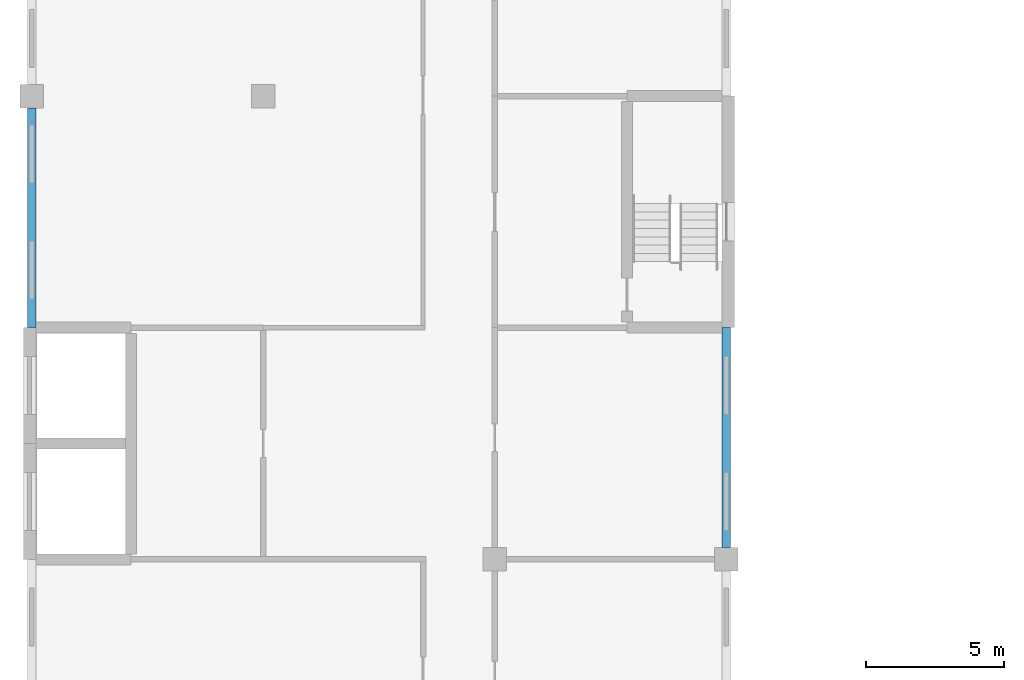
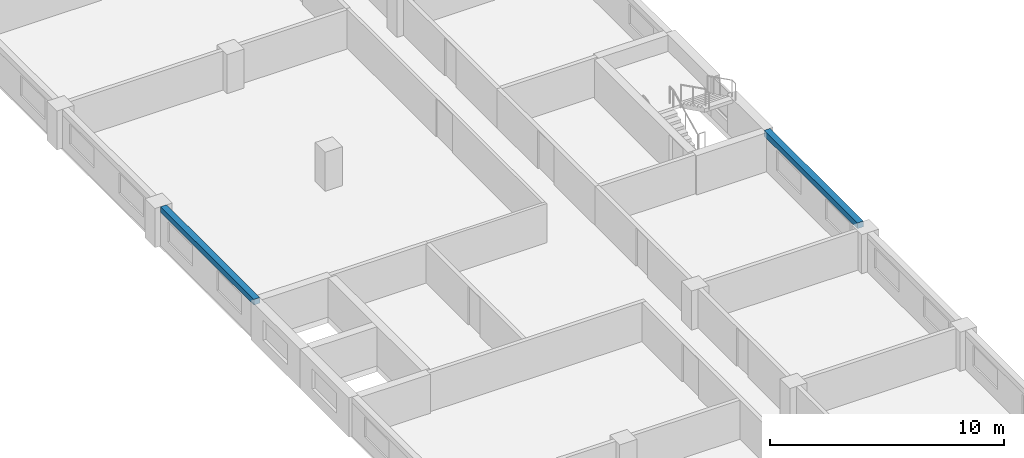
# One storey, part 13 of 48: 2 beams.
"""IFC4 building model written with IfcOpenShell, lengths in metres."""

from ifc_helpers import new_model, si_unit, direction, frame, origin, origin_2d, place, context, subcontext, project, spatial, rectangle, extrude, material, material_profile, profile_set, type_object, element, save


model = new_model("IFC4")

# Units and contexts
model_context = context("Model", 3, precision=1e-05, world=origin(), true_north=direction((0.0, 1.0)))
body_context = subcontext(model_context, "Body", "Model", "MODEL_VIEW")
ifc_project = project(units=[si_unit("LENGTHUNIT", "METRE"), si_unit("AREAUNIT", "SQUARE_METRE"), si_unit("VOLUMEUNIT", "CUBIC_METRE"), si_unit("PLANEANGLEUNIT", "RADIAN"), si_unit("MASSUNIT", "GRAM", prefix="KILO")], contexts=[model_context])

# Site, building, storey
site_placement = place(None, origin())
site = spatial("IfcSite", under=ifc_project, at=site_placement, CompositionType="ELEMENT")
building_placement = place(site_placement, origin())
building = spatial("IfcBuilding", under=site, at=building_placement, Name="Yavir Park General Hospital", CompositionType="ELEMENT")
storey_placement = place(building_placement, frame((0.0, 0.0, 12.89990234375)))
storey = spatial("IfcBuildingStorey", under=building, at=storey_placement, Name="I02", CompositionType="ELEMENT", Elevation=12.89990234375)

# Beams
ifc_material = material(Name="Concrete C35/45", Category="concrete")
ifc_material_profile = material_profile(ifc_material, rectangle(XDim=0.300048828125, YDim=0.300048828125, at=origin_2d()), Name="RC300x300")
ifc_profile_set = profile_set([ifc_material_profile], Name="Concrete C35/45")
beam_type = type_object("IfcBeamType", Name="RC BEAM 300x300 edge beam", PredefinedType="BEAM", material=ifc_profile_set)
beam_1_placement = place(storey_placement, frame((0.0, 75.60009765625, 1.89013671875), z_axis=(0.0, 1.0, 0.0), x_axis=(-1.0, 0.0, 0.0)))
element("IfcBeam", 1, at=beam_1_placement, inside=storey, type_object=beam_type, Name="B:EDGE:I02:038", PredefinedType="BEAM", context=body_context, shape_type="SweptSolid", body=[
    extrude(rectangle(XDim=0.300048828125, YDim=0.300048828125, at=origin_2d()), origin(), (0.0, 0.0, 1.0), 7.974853515625),
])
beam_2_placement = place(storey_placement, frame((25.199951171875, 67.625, 1.89013671875), z_axis=(0.0, 1.0, 0.0), x_axis=(-1.0, 0.0, 0.0)))
element("IfcBeam", 2, at=beam_2_placement, inside=storey, type_object=beam_type, Name="B:EDGE:I02:046", PredefinedType="BEAM", context=body_context, shape_type="SweptSolid", body=[
    extrude(rectangle(XDim=0.300048828125, YDim=0.300048828125, at=origin_2d()), origin(), (0.0, 0.0, 1.0), 7.97509765625),
])

save(model, "model.ifc")
